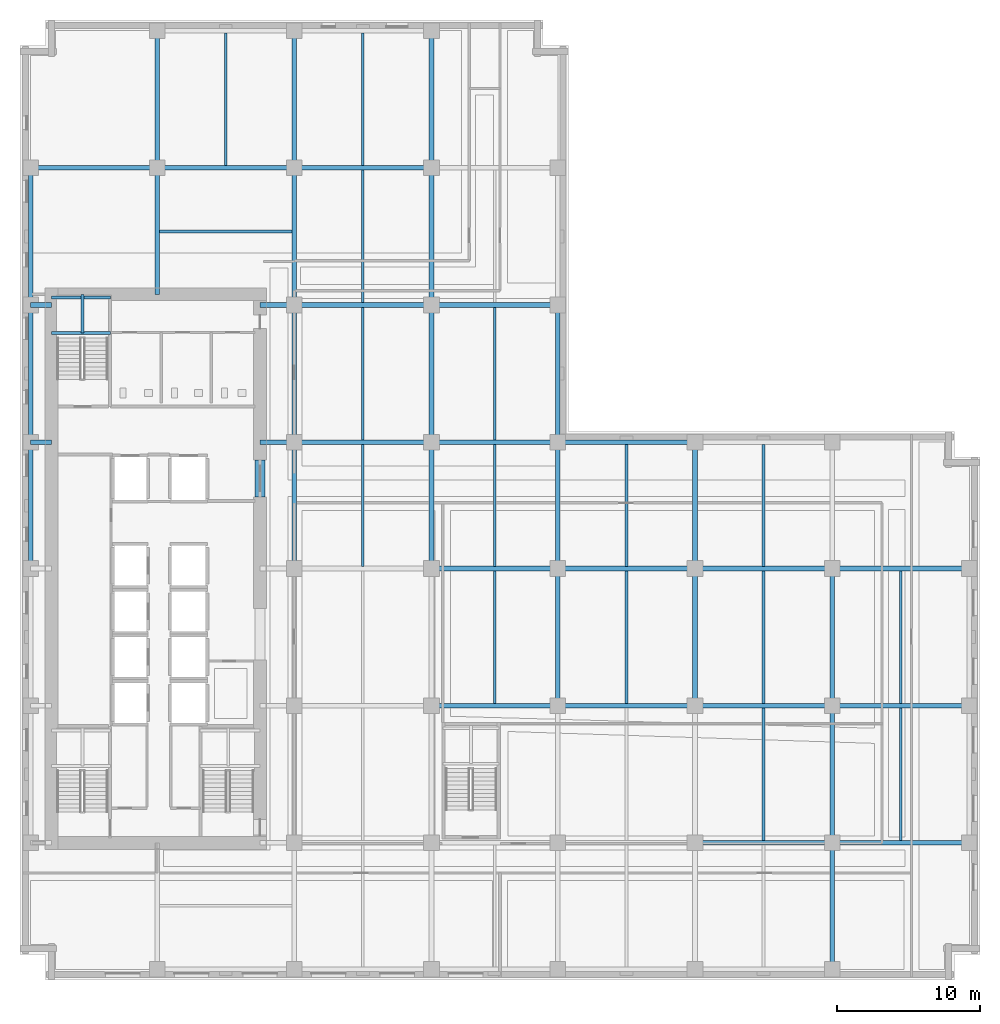
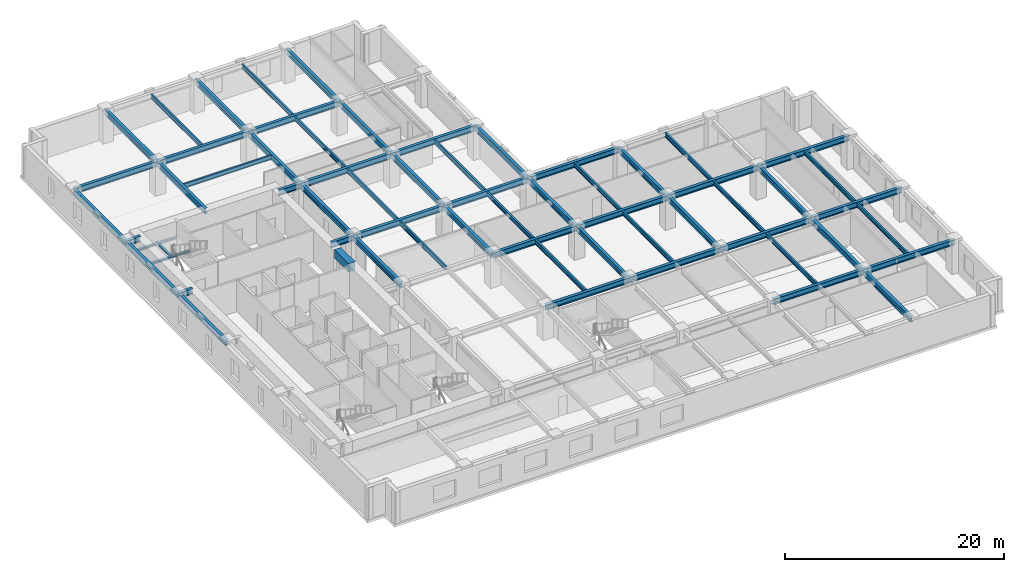
# One storey, part 2 of 15: 63 beams.
"""IFC4 building model written with IfcOpenShell, lengths in metres."""

from ifc_helpers import new_model, si_unit, direction, frame, origin, origin_2d, place, context, subcontext, project, spatial, rectangle, i_section, extrude, material, material_profile, profile_set, type_object, element, save


model = new_model("IFC4")

# Units and contexts
model_context = context("Model", 3, precision=1e-05, world=origin(), true_north=direction((0.0, 1.0)))
body_context = subcontext(model_context, "Body", "Model", "MODEL_VIEW")
ifc_project = project(units=[si_unit("LENGTHUNIT", "METRE"), si_unit("AREAUNIT", "SQUARE_METRE"), si_unit("VOLUMEUNIT", "CUBIC_METRE"), si_unit("PLANEANGLEUNIT", "RADIAN"), si_unit("MASSUNIT", "GRAM", prefix="KILO")], contexts=[model_context])

# Site, building, storey
site_placement = place(None, origin())
site = spatial("IfcSite", under=ifc_project, at=site_placement, CompositionType="ELEMENT")
building_placement = place(site_placement, origin())
building = spatial("IfcBuilding", under=site, at=building_placement, Name="Norrvale University Quadrangle", CompositionType="ELEMENT")
storey_placement = place(building_placement, frame((0.0, 0.0, 88.800048828125)))
storey = spatial("IfcBuildingStorey", under=building, at=storey_placement, Name="L22", CompositionType="ELEMENT", Elevation=88.800048828125)

# Beams
ifc_material_1 = material(Name="Steel 350W", Category="steel")
ifc_material_profile_1 = material_profile(ifc_material_1, i_section(OverallWidth=0.324951171875, OverallDepth=0.615966796875, WebThickness=0.013916015625, FlangeThickness=0.021484375, FilletRadius=0.01611328125, at=origin_2d()), Name="Steel 350W")
ifc_profile_set_1 = profile_set([ifc_material_profile_1], Name="Steel 350W")
beam_type_1 = type_object("IfcBeamType", Name="Beam Belt W610x174", PredefinedType="BEAM", material=ifc_profile_set_1)
beam_1_placement = place(storey_placement, frame((47.25, 9.60009765625, 3.23193359375), z_axis=(1.0, 0.0, 0.0), x_axis=(0.0, 1.0, 0.0)))
element("IfcBeam", 1, at=beam_1_placement, inside=storey, type_object=beam_type_1, Name="Beam Belt W610x174 BM-L22-GX009", PredefinedType="BEAM", context=body_context, shape_type="SweptSolid", body=[
    extrude(i_section(OverallWidth=0.324951171875, OverallDepth=0.615966796875, WebThickness=0.013916015625, FlangeThickness=0.021484375, FilletRadius=0.01611328125, at=origin_2d()), origin(), (0.0, 0.0, 1.0), 9.60009765625),
])
beam_2_placement = place(storey_placement, frame((56.85009765625, 9.60009765625, 3.23193359375), z_axis=(1.0, 0.0, 0.0), x_axis=(0.0, 1.0, 0.0)))
element("IfcBeam", 2, at=beam_2_placement, inside=storey, type_object=beam_type_1, Name="Beam Belt W610x174 BM-L22-GX010", PredefinedType="BEAM", context=body_context, shape_type="SweptSolid", body=[
    extrude(i_section(OverallWidth=0.324951171875, OverallDepth=0.615966796875, WebThickness=0.013916015625, FlangeThickness=0.021484375, FilletRadius=0.01611328125, at=origin_2d()), origin(), (0.0, 0.0, 1.0), 9.599853515625),
])
beam_3_placement = place(storey_placement, frame((28.800048828125, 19.199951171875, 3.23193359375), z_axis=(1.0, 0.0, 0.0), x_axis=(0.0, 1.0, 0.0)))
element("IfcBeam", 3, at=beam_3_placement, inside=storey, type_object=beam_type_1, Name="Beam Belt W610x174 BM-L22-GX012", PredefinedType="BEAM", context=body_context, shape_type="SweptSolid", body=[
    extrude(i_section(OverallWidth=0.324951171875, OverallDepth=0.615966796875, WebThickness=0.013916015625, FlangeThickness=0.021484375, FilletRadius=0.01611328125, at=origin_2d()), origin(), (0.0, 0.0, 1.0), 8.849853515625),
])
for number, where, z_axis, x_axis, name in (
    (4, (37.64990234375, 19.199951171875, 3.23193359375), (1.0, 0.0, 0.0), (0.0, 1.0, 0.0), "Beam Belt W610x174 BM-L22-GX013"),
    (5, (47.25, 19.199951171875, 3.23193359375), (1.0, 0.0, 0.0), (0.0, 1.0, 0.0), "Beam Belt W610x174 BM-L22-GX014"),
):
    element("IfcBeam", number, at=place(storey_placement, frame(where, z_axis=z_axis, x_axis=x_axis)), inside=storey, type_object=beam_type_1, Name=name, PredefinedType="BEAM", context=body_context, shape_type="SweptSolid", body=[
        extrude(i_section(OverallWidth=0.324951171875, OverallDepth=0.615966796875, WebThickness=0.013916015625, FlangeThickness=0.021484375, FilletRadius=0.01611328125, at=origin_2d()), origin(), (0.0, 0.0, 1.0), 9.60009765625),
    ])
beam_4_placement = place(storey_placement, frame((56.85009765625, 19.199951171875, 3.23193359375), z_axis=(1.0, 0.0, 0.0), x_axis=(0.0, 1.0, 0.0)))
element("IfcBeam", 6, at=beam_4_placement, inside=storey, type_object=beam_type_1, Name="Beam Belt W610x174 BM-L22-GX015", PredefinedType="BEAM", context=body_context, shape_type="SweptSolid", body=[
    extrude(i_section(OverallWidth=0.324951171875, OverallDepth=0.615966796875, WebThickness=0.013916015625, FlangeThickness=0.021484375, FilletRadius=0.01611328125, at=origin_2d()), origin(), (0.0, 0.0, 1.0), 9.599853515625),
])
beam_5_placement = place(storey_placement, frame((28.800048828125, 28.800048828125, 3.23193359375), z_axis=(1.0, 0.0, 0.0), x_axis=(0.0, 1.0, 0.0)))
element("IfcBeam", 7, at=beam_5_placement, inside=storey, type_object=beam_type_1, Name="Beam Belt W610x174 BM-L22-GX017", PredefinedType="BEAM", context=body_context, shape_type="SweptSolid", body=[
    extrude(i_section(OverallWidth=0.324951171875, OverallDepth=0.615966796875, WebThickness=0.013916015625, FlangeThickness=0.021484375, FilletRadius=0.01611328125, at=origin_2d()), origin(), (0.0, 0.0, 1.0), 8.849853515625),
])
for number, where, z_axis, x_axis, name in (
    (8, (37.64990234375, 28.800048828125, 3.23193359375), (1.0, 0.0, 0.0), (0.0, 1.0, 0.0), "Beam Belt W610x174 BM-L22-GX018"),
    (9, (47.25, 28.800048828125, 3.23193359375), (1.0, 0.0, 0.0), (0.0, 1.0, 0.0), "Beam Belt W610x174 BM-L22-GX019"),
):
    element("IfcBeam", number, at=place(storey_placement, frame(where, z_axis=z_axis, x_axis=x_axis)), inside=storey, type_object=beam_type_1, Name=name, PredefinedType="BEAM", context=body_context, shape_type="SweptSolid", body=[
        extrude(i_section(OverallWidth=0.324951171875, OverallDepth=0.615966796875, WebThickness=0.013916015625, FlangeThickness=0.021484375, FilletRadius=0.01611328125, at=origin_2d()), origin(), (0.0, 0.0, 1.0), 9.60009765625),
    ])
beam_6_placement = place(storey_placement, frame((56.85009765625, 28.800048828125, 3.23193359375), z_axis=(1.0, 0.0, 0.0), x_axis=(0.0, 1.0, 0.0)))
element("IfcBeam", 10, at=beam_6_placement, inside=storey, type_object=beam_type_1, Name="Beam Belt W610x174 BM-L22-GX020", PredefinedType="BEAM", context=body_context, shape_type="SweptSolid", body=[
    extrude(i_section(OverallWidth=0.324951171875, OverallDepth=0.615966796875, WebThickness=0.013916015625, FlangeThickness=0.021484375, FilletRadius=0.01611328125, at=origin_2d()), origin(), (0.0, 0.0, 1.0), 9.599853515625),
])
beam_7_placement = place(storey_placement, frame((19.199951171875, 37.64990234375, 3.23193359375), z_axis=(1.0, 0.0, 0.0), x_axis=(0.0, 1.0, 0.0)))
element("IfcBeam", 11, at=beam_7_placement, inside=storey, type_object=beam_type_1, Name="Beam Belt W610x174 BM-L22-GX021", PredefinedType="BEAM", context=body_context, shape_type="SweptSolid", body=[
    extrude(i_section(OverallWidth=0.324951171875, OverallDepth=0.615966796875, WebThickness=0.013916015625, FlangeThickness=0.021484375, FilletRadius=0.01611328125, at=origin_2d()), origin(), (0.0, 0.0, 1.0), 9.60009765625),
])
beam_8_placement = place(storey_placement, frame((28.800048828125, 37.64990234375, 3.23193359375), z_axis=(1.0, 0.0, 0.0), x_axis=(0.0, 1.0, 0.0)))
element("IfcBeam", 12, at=beam_8_placement, inside=storey, type_object=beam_type_1, Name="Beam Belt W610x174 BM-L22-GX022", PredefinedType="BEAM", context=body_context, shape_type="SweptSolid", body=[
    extrude(i_section(OverallWidth=0.324951171875, OverallDepth=0.615966796875, WebThickness=0.013916015625, FlangeThickness=0.021484375, FilletRadius=0.01611328125, at=origin_2d()), origin(), (0.0, 0.0, 1.0), 8.849853515625),
])
for number, where, z_axis, x_axis, name in (
    (13, (37.64990234375, 37.64990234375, 3.23193359375), (1.0, 0.0, 0.0), (0.0, 1.0, 0.0), "Beam Belt W610x174 BM-L22-GX023"),
    (14, (19.199951171875, 47.25, 3.23193359375), (1.0, 0.0, 0.0), (0.0, 1.0, 0.0), "Beam Belt W610x174 BM-L22-GX025"),
):
    element("IfcBeam", number, at=place(storey_placement, frame(where, z_axis=z_axis, x_axis=x_axis)), inside=storey, type_object=beam_type_1, Name=name, PredefinedType="BEAM", context=body_context, shape_type="SweptSolid", body=[
        extrude(i_section(OverallWidth=0.324951171875, OverallDepth=0.615966796875, WebThickness=0.013916015625, FlangeThickness=0.021484375, FilletRadius=0.01611328125, at=origin_2d()), origin(), (0.0, 0.0, 1.0), 9.60009765625),
    ])
beam_9_placement = place(storey_placement, frame((28.800048828125, 47.25, 3.23193359375), z_axis=(1.0, 0.0, 0.0), x_axis=(0.0, 1.0, 0.0)))
element("IfcBeam", 15, at=beam_9_placement, inside=storey, type_object=beam_type_1, Name="Beam Belt W610x174 BM-L22-GX026", PredefinedType="BEAM", context=body_context, shape_type="SweptSolid", body=[
    extrude(i_section(OverallWidth=0.324951171875, OverallDepth=0.615966796875, WebThickness=0.013916015625, FlangeThickness=0.021484375, FilletRadius=0.01611328125, at=origin_2d()), origin(), (0.0, 0.0, 1.0), 8.849853515625),
])
beam_10_placement = place(storey_placement, frame((0.75, 56.85009765625, 3.23193359375), z_axis=(1.0, 0.0, 0.0), x_axis=(0.0, 1.0, 0.0)))
element("IfcBeam", 16, at=beam_10_placement, inside=storey, type_object=beam_type_1, Name="Beam Belt W610x174 BM-L22-GX027", PredefinedType="BEAM", context=body_context, shape_type="SweptSolid", body=[
    extrude(i_section(OverallWidth=0.324951171875, OverallDepth=0.615966796875, WebThickness=0.013916015625, FlangeThickness=0.021484375, FilletRadius=0.01611328125, at=origin_2d()), origin(), (0.0, 0.0, 1.0), 8.85009765625),
])
beam_11_placement = place(storey_placement, frame((9.60009765625, 56.85009765625, 3.23193359375), z_axis=(1.0, 0.0, 0.0), x_axis=(0.0, 1.0, 0.0)))
element("IfcBeam", 17, at=beam_11_placement, inside=storey, type_object=beam_type_1, Name="Beam Belt W610x174 BM-L22-GX028", PredefinedType="BEAM", context=body_context, shape_type="SweptSolid", body=[
    extrude(i_section(OverallWidth=0.324951171875, OverallDepth=0.615966796875, WebThickness=0.013916015625, FlangeThickness=0.021484375, FilletRadius=0.01611328125, at=origin_2d()), origin(), (0.0, 0.0, 1.0), 9.599853515625),
])
beam_12_placement = place(storey_placement, frame((19.199951171875, 56.85009765625, 3.23193359375), z_axis=(1.0, 0.0, 0.0), x_axis=(0.0, 1.0, 0.0)))
element("IfcBeam", 18, at=beam_12_placement, inside=storey, type_object=beam_type_1, Name="Beam Belt W610x174 BM-L22-GX029", PredefinedType="BEAM", context=body_context, shape_type="SweptSolid", body=[
    extrude(i_section(OverallWidth=0.324951171875, OverallDepth=0.615966796875, WebThickness=0.013916015625, FlangeThickness=0.021484375, FilletRadius=0.01611328125, at=origin_2d()), origin(), (0.0, 0.0, 1.0), 9.60009765625),
])
beam_13_placement = place(storey_placement, frame((0.75, 28.800048828125, 3.23193359375), z_axis=(0.0, 1.0, 0.0), x_axis=(-1.0, 0.0, 0.0)))
element("IfcBeam", 19, at=beam_13_placement, inside=storey, type_object=beam_type_1, Name="Beam Belt W610x174 BM-L22-GY035", PredefinedType="BEAM", context=body_context, shape_type="SweptSolid", body=[
    extrude(i_section(OverallWidth=0.324951171875, OverallDepth=0.615966796875, WebThickness=0.013916015625, FlangeThickness=0.021484375, FilletRadius=0.01611328125, at=origin_2d()), origin(), (0.0, 0.0, 1.0), 8.849853515625),
])
for number, where, z_axis, x_axis, name in (
    (20, (0.75, 37.64990234375, 3.23193359375), (0.0, 1.0, 0.0), (-1.0, 0.0, 0.0), "Beam Belt W610x174 BM-L22-GY036"),
    (21, (0.75, 47.25, 3.23193359375), (0.0, 1.0, 0.0), (-1.0, 0.0, 0.0), "Beam Belt W610x174 BM-L22-GY037"),
):
    element("IfcBeam", number, at=place(storey_placement, frame(where, z_axis=z_axis, x_axis=x_axis)), inside=storey, type_object=beam_type_1, Name=name, PredefinedType="BEAM", context=body_context, shape_type="SweptSolid", body=[
        extrude(i_section(OverallWidth=0.324951171875, OverallDepth=0.615966796875, WebThickness=0.013916015625, FlangeThickness=0.021484375, FilletRadius=0.01611328125, at=origin_2d()), origin(), (0.0, 0.0, 1.0), 9.60009765625),
    ])
beam_14_placement = place(storey_placement, frame((9.60009765625, 56.85009765625, 3.23193359375), z_axis=(0.0, 1.0, 0.0), x_axis=(-1.0, 0.0, 0.0)))
element("IfcBeam", 22, at=beam_14_placement, inside=storey, type_object=beam_type_1, Name="Beam Belt W610x174 BM-L22-GY038", PredefinedType="BEAM", context=body_context, shape_type="SweptSolid", body=[
    extrude(i_section(OverallWidth=0.324951171875, OverallDepth=0.615966796875, WebThickness=0.013916015625, FlangeThickness=0.021484375, FilletRadius=0.01611328125, at=origin_2d()), origin(), (0.0, 0.0, 1.0), 9.599853515625),
])
beam_15_placement = place(storey_placement, frame((19.199951171875, 28.800048828125, 3.23193359375), z_axis=(0.0, 1.0, 0.0), x_axis=(-1.0, 0.0, 0.0)))
element("IfcBeam", 23, at=beam_15_placement, inside=storey, type_object=beam_type_1, Name="Beam Belt W610x174 BM-L22-GY042", PredefinedType="BEAM", context=body_context, shape_type="SweptSolid", body=[
    extrude(i_section(OverallWidth=0.324951171875, OverallDepth=0.615966796875, WebThickness=0.013916015625, FlangeThickness=0.021484375, FilletRadius=0.01611328125, at=origin_2d()), origin(), (0.0, 0.0, 1.0), 8.849853515625),
])
for number, where, z_axis, x_axis, name in (
    (24, (19.199951171875, 37.64990234375, 3.23193359375), (0.0, 1.0, 0.0), (-1.0, 0.0, 0.0), "Beam Belt W610x174 BM-L22-GY043"),
    (25, (19.199951171875, 47.25, 3.23193359375), (0.0, 1.0, 0.0), (-1.0, 0.0, 0.0), "Beam Belt W610x174 BM-L22-GY044"),
):
    element("IfcBeam", number, at=place(storey_placement, frame(where, z_axis=z_axis, x_axis=x_axis)), inside=storey, type_object=beam_type_1, Name=name, PredefinedType="BEAM", context=body_context, shape_type="SweptSolid", body=[
        extrude(i_section(OverallWidth=0.324951171875, OverallDepth=0.615966796875, WebThickness=0.013916015625, FlangeThickness=0.021484375, FilletRadius=0.01611328125, at=origin_2d()), origin(), (0.0, 0.0, 1.0), 9.60009765625),
    ])
beam_16_placement = place(storey_placement, frame((19.199951171875, 56.85009765625, 3.23193359375), z_axis=(0.0, 1.0, 0.0), x_axis=(-1.0, 0.0, 0.0)))
element("IfcBeam", 26, at=beam_16_placement, inside=storey, type_object=beam_type_1, Name="Beam Belt W610x174 BM-L22-GY045", PredefinedType="BEAM", context=body_context, shape_type="SweptSolid", body=[
    extrude(i_section(OverallWidth=0.324951171875, OverallDepth=0.615966796875, WebThickness=0.013916015625, FlangeThickness=0.021484375, FilletRadius=0.01611328125, at=origin_2d()), origin(), (0.0, 0.0, 1.0), 9.599853515625),
])
beam_17_placement = place(storey_placement, frame((28.800048828125, 28.800048828125, 3.23193359375), z_axis=(0.0, 1.0, 0.0), x_axis=(-1.0, 0.0, 0.0)))
element("IfcBeam", 27, at=beam_17_placement, inside=storey, type_object=beam_type_1, Name="Beam Belt W610x174 BM-L22-GY049", PredefinedType="BEAM", context=body_context, shape_type="SweptSolid", body=[
    extrude(i_section(OverallWidth=0.324951171875, OverallDepth=0.615966796875, WebThickness=0.013916015625, FlangeThickness=0.021484375, FilletRadius=0.01611328125, at=origin_2d()), origin(), (0.0, 0.0, 1.0), 8.849853515625),
])
for number, where, z_axis, x_axis, name in (
    (28, (28.800048828125, 37.64990234375, 3.23193359375), (0.0, 1.0, 0.0), (-1.0, 0.0, 0.0), "Beam Belt W610x174 BM-L22-GY050"),
    (29, (28.800048828125, 47.25, 3.23193359375), (0.0, 1.0, 0.0), (-1.0, 0.0, 0.0), "Beam Belt W610x174 BM-L22-GY051"),
):
    element("IfcBeam", number, at=place(storey_placement, frame(where, z_axis=z_axis, x_axis=x_axis)), inside=storey, type_object=beam_type_1, Name=name, PredefinedType="BEAM", context=body_context, shape_type="SweptSolid", body=[
        extrude(i_section(OverallWidth=0.324951171875, OverallDepth=0.615966796875, WebThickness=0.013916015625, FlangeThickness=0.021484375, FilletRadius=0.01611328125, at=origin_2d()), origin(), (0.0, 0.0, 1.0), 9.60009765625),
    ])
beam_18_placement = place(storey_placement, frame((28.800048828125, 56.85009765625, 3.23193359375), z_axis=(0.0, 1.0, 0.0), x_axis=(-1.0, 0.0, 0.0)))
element("IfcBeam", 30, at=beam_18_placement, inside=storey, type_object=beam_type_1, Name="Beam Belt W610x174 BM-L22-GY052", PredefinedType="BEAM", context=body_context, shape_type="SweptSolid", body=[
    extrude(i_section(OverallWidth=0.324951171875, OverallDepth=0.615966796875, WebThickness=0.013916015625, FlangeThickness=0.021484375, FilletRadius=0.01611328125, at=origin_2d()), origin(), (0.0, 0.0, 1.0), 9.599853515625),
])
beam_19_placement = place(storey_placement, frame((37.64990234375, 19.199951171875, 3.23193359375), z_axis=(0.0, 1.0, 0.0), x_axis=(-1.0, 0.0, 0.0)))
element("IfcBeam", 31, at=beam_19_placement, inside=storey, type_object=beam_type_1, Name="Beam Belt W610x174 BM-L22-GY055", PredefinedType="BEAM", context=body_context, shape_type="SweptSolid", body=[
    extrude(i_section(OverallWidth=0.324951171875, OverallDepth=0.615966796875, WebThickness=0.013916015625, FlangeThickness=0.021484375, FilletRadius=0.01611328125, at=origin_2d()), origin(), (0.0, 0.0, 1.0), 9.60009765625),
])
beam_20_placement = place(storey_placement, frame((37.64990234375, 28.800048828125, 3.23193359375), z_axis=(0.0, 1.0, 0.0), x_axis=(-1.0, 0.0, 0.0)))
element("IfcBeam", 32, at=beam_20_placement, inside=storey, type_object=beam_type_1, Name="Beam Belt W610x174 BM-L22-GY056", PredefinedType="BEAM", context=body_context, shape_type="SweptSolid", body=[
    extrude(i_section(OverallWidth=0.324951171875, OverallDepth=0.615966796875, WebThickness=0.013916015625, FlangeThickness=0.021484375, FilletRadius=0.01611328125, at=origin_2d()), origin(), (0.0, 0.0, 1.0), 8.849853515625),
])
for number, where, z_axis, x_axis, name in (
    (33, (37.64990234375, 37.64990234375, 3.23193359375), (0.0, 1.0, 0.0), (-1.0, 0.0, 0.0), "Beam Belt W610x174 BM-L22-GY057"),
    (34, (47.25, 19.199951171875, 3.23193359375), (0.0, 1.0, 0.0), (-1.0, 0.0, 0.0), "Beam Belt W610x174 BM-L22-GY061"),
):
    element("IfcBeam", number, at=place(storey_placement, frame(where, z_axis=z_axis, x_axis=x_axis)), inside=storey, type_object=beam_type_1, Name=name, PredefinedType="BEAM", context=body_context, shape_type="SweptSolid", body=[
        extrude(i_section(OverallWidth=0.324951171875, OverallDepth=0.615966796875, WebThickness=0.013916015625, FlangeThickness=0.021484375, FilletRadius=0.01611328125, at=origin_2d()), origin(), (0.0, 0.0, 1.0), 9.60009765625),
    ])
beam_21_placement = place(storey_placement, frame((47.25, 28.800048828125, 3.23193359375), z_axis=(0.0, 1.0, 0.0), x_axis=(-1.0, 0.0, 0.0)))
element("IfcBeam", 35, at=beam_21_placement, inside=storey, type_object=beam_type_1, Name="Beam Belt W610x174 BM-L22-GY062", PredefinedType="BEAM", context=body_context, shape_type="SweptSolid", body=[
    extrude(i_section(OverallWidth=0.324951171875, OverallDepth=0.615966796875, WebThickness=0.013916015625, FlangeThickness=0.021484375, FilletRadius=0.01611328125, at=origin_2d()), origin(), (0.0, 0.0, 1.0), 8.849853515625),
])
beam_22_placement = place(storey_placement, frame((56.85009765625, 0.75, 3.23193359375), z_axis=(0.0, 1.0, 0.0), x_axis=(-1.0, 0.0, 0.0)))
element("IfcBeam", 36, at=beam_22_placement, inside=storey, type_object=beam_type_1, Name="Beam Belt W610x174 BM-L22-GY063", PredefinedType="BEAM", context=body_context, shape_type="SweptSolid", body=[
    extrude(i_section(OverallWidth=0.324951171875, OverallDepth=0.615966796875, WebThickness=0.013916015625, FlangeThickness=0.021484375, FilletRadius=0.01611328125, at=origin_2d()), origin(), (0.0, 0.0, 1.0), 8.85009765625),
])
beam_23_placement = place(storey_placement, frame((56.85009765625, 9.60009765625, 3.23193359375), z_axis=(0.0, 1.0, 0.0), x_axis=(-1.0, 0.0, 0.0)))
element("IfcBeam", 37, at=beam_23_placement, inside=storey, type_object=beam_type_1, Name="Beam Belt W610x174 BM-L22-GY064", PredefinedType="BEAM", context=body_context, shape_type="SweptSolid", body=[
    extrude(i_section(OverallWidth=0.324951171875, OverallDepth=0.615966796875, WebThickness=0.013916015625, FlangeThickness=0.021484375, FilletRadius=0.01611328125, at=origin_2d()), origin(), (0.0, 0.0, 1.0), 9.599853515625),
])
beam_24_placement = place(storey_placement, frame((56.85009765625, 19.199951171875, 3.23193359375), z_axis=(0.0, 1.0, 0.0), x_axis=(-1.0, 0.0, 0.0)))
element("IfcBeam", 38, at=beam_24_placement, inside=storey, type_object=beam_type_1, Name="Beam Belt W610x174 BM-L22-GY065", PredefinedType="BEAM", context=body_context, shape_type="SweptSolid", body=[
    extrude(i_section(OverallWidth=0.324951171875, OverallDepth=0.615966796875, WebThickness=0.013916015625, FlangeThickness=0.021484375, FilletRadius=0.01611328125, at=origin_2d()), origin(), (0.0, 0.0, 1.0), 9.60009765625),
])
beam_25_placement = place(storey_placement, frame((0.75, 37.64990234375, 3.23193359375), z_axis=(1.0, 0.0, 0.0), x_axis=(0.0, 1.0, 0.0)))
element("IfcBeam", 39, at=beam_25_placement, inside=storey, type_object=beam_type_1, Name="Beam Belt W610x174 BM-L22-GCW075", PredefinedType="BEAM", context=body_context, shape_type="SweptSolid", body=[
    extrude(i_section(OverallWidth=0.324951171875, OverallDepth=0.615966796875, WebThickness=0.013916015625, FlangeThickness=0.021484375, FilletRadius=0.01611328125, at=origin_2d()), origin(), (0.0, 0.0, 1.0), 1.449951171875),
])
beam_26_placement = place(storey_placement, frame((16.800048828125, 37.64990234375, 3.23193359375), z_axis=(1.0, 0.0, 0.0), x_axis=(0.0, 1.0, 0.0)))
element("IfcBeam", 40, at=beam_26_placement, inside=storey, type_object=beam_type_1, Name="Beam Belt W610x174 BM-L22-GCE076", PredefinedType="BEAM", context=body_context, shape_type="SweptSolid", body=[
    extrude(i_section(OverallWidth=0.324951171875, OverallDepth=0.615966796875, WebThickness=0.013916015625, FlangeThickness=0.021484375, FilletRadius=0.01611328125, at=origin_2d()), origin(), (0.0, 0.0, 1.0), 2.39990234375),
])
beam_27_placement = place(storey_placement, frame((0.75, 47.25, 3.23193359375), z_axis=(1.0, 0.0, 0.0), x_axis=(0.0, 1.0, 0.0)))
element("IfcBeam", 41, at=beam_27_placement, inside=storey, type_object=beam_type_1, Name="Beam Belt W610x174 BM-L22-GCW077", PredefinedType="BEAM", context=body_context, shape_type="SweptSolid", body=[
    extrude(i_section(OverallWidth=0.324951171875, OverallDepth=0.615966796875, WebThickness=0.013916015625, FlangeThickness=0.021484375, FilletRadius=0.01611328125, at=origin_2d()), origin(), (0.0, 0.0, 1.0), 1.449951171875),
])
beam_28_placement = place(storey_placement, frame((16.800048828125, 47.25, 3.23193359375), z_axis=(1.0, 0.0, 0.0), x_axis=(0.0, 1.0, 0.0)))
element("IfcBeam", 42, at=beam_28_placement, inside=storey, type_object=beam_type_1, Name="Beam Belt W610x174 BM-L22-GCE078", PredefinedType="BEAM", context=body_context, shape_type="SweptSolid", body=[
    extrude(i_section(OverallWidth=0.324951171875, OverallDepth=0.615966796875, WebThickness=0.013916015625, FlangeThickness=0.021484375, FilletRadius=0.01611328125, at=origin_2d()), origin(), (0.0, 0.0, 1.0), 2.39990234375),
])
beam_29_placement = place(storey_placement, frame((9.60009765625, 48.0, 3.23193359375), z_axis=(0.0, 1.0, 0.0), x_axis=(-1.0, 0.0, 0.0)))
element("IfcBeam", 43, at=beam_29_placement, inside=storey, type_object=beam_type_1, Name="Beam Belt W610x174 BM-L22-GCN104", PredefinedType="BEAM", context=body_context, shape_type="SweptSolid", body=[
    extrude(i_section(OverallWidth=0.324951171875, OverallDepth=0.615966796875, WebThickness=0.013916015625, FlangeThickness=0.021484375, FilletRadius=0.01611328125, at=origin_2d()), origin(), (0.0, 0.0, 1.0), 8.85009765625),
])
ifc_material_2 = material(Name="Concrete C80/95", Category="concrete")
ifc_material_profile_2 = material_profile(ifc_material_2, rectangle(XDim=0.699951171875, YDim=0.949951171875, at=origin_2d()), Name="Concrete C80/95")
ifc_profile_set_2 = profile_set([ifc_material_profile_2], Name="Concrete C80/95")
beam_type_2 = type_object("IfcBeamType", Name="Beam Core Link 700x950", PredefinedType="LINTEL", material=ifc_profile_set_2)
beam_30_placement = place(storey_placement, frame((16.800048828125, 33.800048828125, 3.06494140625), z_axis=(0.0, 1.0, 0.0), x_axis=(-1.0, 0.0, 0.0)))
element("IfcBeam", 44, at=beam_30_placement, inside=storey, type_object=beam_type_2, Name="Core Coupling Lintel Beam L22-2", PredefinedType="LINTEL", context=body_context, shape_type="SweptSolid", body=[
    extrude(rectangle(XDim=0.699951171875, YDim=0.949951171875, at=origin_2d()), origin(), (0.0, 0.0, 1.0), 2.599853515625),
])
ifc_material_profile_3 = material_profile(ifc_material_1, i_section(OverallWidth=0.194091796875, OverallDepth=0.468994140625, WebThickness=0.0126953125, FlangeThickness=0.0205078125, FilletRadius=0.012939453125, at=origin_2d()), Name="Steel 350W")
ifc_profile_set_3 = profile_set([ifc_material_profile_3], Name="Steel 350W")
beam_type_3 = type_object("IfcBeamType", Name="Beam Floor W460x106", PredefinedType="BEAM", material=ifc_profile_set_3)
beam_31_placement = place(storey_placement, frame((14.39990234375, 57.012451171875, 3.305419921875), z_axis=(0.0, 1.0, 0.0), x_axis=(-1.0, 0.0, 0.0)))
element("IfcBeam", 45, at=beam_31_placement, inside=storey, type_object=beam_type_3, Name="Beam Floor W460x106 BM-L22-J079", PredefinedType="BEAM", context=body_context, shape_type="SweptSolid", body=[
    extrude(i_section(OverallWidth=0.194091796875, OverallDepth=0.468994140625, WebThickness=0.0126953125, FlangeThickness=0.0205078125, FilletRadius=0.012939453125, at=origin_2d()), origin(), (0.0, 0.0, 1.0), 9.275146484375),
])
beam_32_placement = place(storey_placement, frame((24.0, 28.96240234375, 3.305419921875), z_axis=(0.0, 1.0, 0.0), x_axis=(-1.0, 0.0, 0.0)))
element("IfcBeam", 46, at=beam_32_placement, inside=storey, type_object=beam_type_3, Name="Beam Floor W460x106 BM-L22-J083", PredefinedType="BEAM", context=body_context, shape_type="SweptSolid", body=[
    extrude(i_section(OverallWidth=0.194091796875, OverallDepth=0.468994140625, WebThickness=0.0126953125, FlangeThickness=0.0205078125, FilletRadius=0.012939453125, at=origin_2d()), origin(), (0.0, 0.0, 1.0), 8.525146484375),
])
for number, where, z_axis, x_axis, name in (
    (47, (24.0, 37.8125, 3.305419921875), (0.0, 1.0, 0.0), (-1.0, 0.0, 0.0), "Beam Floor W460x106 BM-L22-J084"),
    (48, (24.0, 47.41259765625, 3.305419921875), (0.0, 1.0, 0.0), (-1.0, 0.0, 0.0), "Beam Floor W460x106 BM-L22-J085"),
):
    element("IfcBeam", number, at=place(storey_placement, frame(where, z_axis=z_axis, x_axis=x_axis)), inside=storey, type_object=beam_type_3, Name=name, PredefinedType="BEAM", context=body_context, shape_type="SweptSolid", body=[
        extrude(i_section(OverallWidth=0.194091796875, OverallDepth=0.468994140625, WebThickness=0.0126953125, FlangeThickness=0.0205078125, FilletRadius=0.012939453125, at=origin_2d()), origin(), (0.0, 0.0, 1.0), 9.27490234375),
    ])
beam_33_placement = place(storey_placement, frame((24.0, 57.012451171875, 3.305419921875), z_axis=(0.0, 1.0, 0.0), x_axis=(-1.0, 0.0, 0.0)))
element("IfcBeam", 49, at=beam_33_placement, inside=storey, type_object=beam_type_3, Name="Beam Floor W460x106 BM-L22-J086", PredefinedType="BEAM", context=body_context, shape_type="SweptSolid", body=[
    extrude(i_section(OverallWidth=0.194091796875, OverallDepth=0.468994140625, WebThickness=0.0126953125, FlangeThickness=0.0205078125, FilletRadius=0.012939453125, at=origin_2d()), origin(), (0.0, 0.0, 1.0), 9.275146484375),
])
beam_34_placement = place(storey_placement, frame((33.22509765625, 19.362548828125, 3.305419921875), z_axis=(0.0, 1.0, 0.0), x_axis=(-1.0, 0.0, 0.0)))
element("IfcBeam", 50, at=beam_34_placement, inside=storey, type_object=beam_type_3, Name="Beam Floor W460x106 BM-L22-J088", PredefinedType="BEAM", context=body_context, shape_type="SweptSolid", body=[
    extrude(i_section(OverallWidth=0.194091796875, OverallDepth=0.468994140625, WebThickness=0.0126953125, FlangeThickness=0.0205078125, FilletRadius=0.012939453125, at=origin_2d()), origin(), (0.0, 0.0, 1.0), 9.27490234375),
])
beam_35_placement = place(storey_placement, frame((33.22509765625, 28.96240234375, 3.305419921875), z_axis=(0.0, 1.0, 0.0), x_axis=(-1.0, 0.0, 0.0)))
element("IfcBeam", 51, at=beam_35_placement, inside=storey, type_object=beam_type_3, Name="Beam Floor W460x106 BM-L22-J089", PredefinedType="BEAM", context=body_context, shape_type="SweptSolid", body=[
    extrude(i_section(OverallWidth=0.194091796875, OverallDepth=0.468994140625, WebThickness=0.0126953125, FlangeThickness=0.0205078125, FilletRadius=0.012939453125, at=origin_2d()), origin(), (0.0, 0.0, 1.0), 8.525146484375),
])
for number, where, z_axis, x_axis, name in (
    (52, (33.22509765625, 37.8125, 3.305419921875), (0.0, 1.0, 0.0), (-1.0, 0.0, 0.0), "Beam Floor W460x106 BM-L22-J090"),
    (53, (42.449951171875, 19.362548828125, 3.305419921875), (0.0, 1.0, 0.0), (-1.0, 0.0, 0.0), "Beam Floor W460x106 BM-L22-J094"),
):
    element("IfcBeam", number, at=place(storey_placement, frame(where, z_axis=z_axis, x_axis=x_axis)), inside=storey, type_object=beam_type_3, Name=name, PredefinedType="BEAM", context=body_context, shape_type="SweptSolid", body=[
        extrude(i_section(OverallWidth=0.194091796875, OverallDepth=0.468994140625, WebThickness=0.0126953125, FlangeThickness=0.0205078125, FilletRadius=0.012939453125, at=origin_2d()), origin(), (0.0, 0.0, 1.0), 9.27490234375),
    ])
beam_36_placement = place(storey_placement, frame((42.449951171875, 28.96240234375, 3.305419921875), z_axis=(0.0, 1.0, 0.0), x_axis=(-1.0, 0.0, 0.0)))
element("IfcBeam", 54, at=beam_36_placement, inside=storey, type_object=beam_type_3, Name="Beam Floor W460x106 BM-L22-J095", PredefinedType="BEAM", context=body_context, shape_type="SweptSolid", body=[
    extrude(i_section(OverallWidth=0.194091796875, OverallDepth=0.468994140625, WebThickness=0.0126953125, FlangeThickness=0.0205078125, FilletRadius=0.012939453125, at=origin_2d()), origin(), (0.0, 0.0, 1.0), 8.525146484375),
])
beam_37_placement = place(storey_placement, frame((52.050048828125, 9.762451171875, 3.305419921875), z_axis=(0.0, 1.0, 0.0), x_axis=(-1.0, 0.0, 0.0)))
element("IfcBeam", 55, at=beam_37_placement, inside=storey, type_object=beam_type_3, Name="Beam Floor W460x106 BM-L22-J097", PredefinedType="BEAM", context=body_context, shape_type="SweptSolid", body=[
    extrude(i_section(OverallWidth=0.194091796875, OverallDepth=0.468994140625, WebThickness=0.0126953125, FlangeThickness=0.0205078125, FilletRadius=0.012939453125, at=origin_2d()), origin(), (0.0, 0.0, 1.0), 9.275146484375),
])
beam_38_placement = place(storey_placement, frame((52.050048828125, 19.362548828125, 3.305419921875), z_axis=(0.0, 1.0, 0.0), x_axis=(-1.0, 0.0, 0.0)))
element("IfcBeam", 56, at=beam_38_placement, inside=storey, type_object=beam_type_3, Name="Beam Floor W460x106 BM-L22-J098", PredefinedType="BEAM", context=body_context, shape_type="SweptSolid", body=[
    extrude(i_section(OverallWidth=0.194091796875, OverallDepth=0.468994140625, WebThickness=0.0126953125, FlangeThickness=0.0205078125, FilletRadius=0.012939453125, at=origin_2d()), origin(), (0.0, 0.0, 1.0), 9.27490234375),
])
beam_39_placement = place(storey_placement, frame((52.050048828125, 28.96240234375, 3.305419921875), z_axis=(0.0, 1.0, 0.0), x_axis=(-1.0, 0.0, 0.0)))
element("IfcBeam", 57, at=beam_39_placement, inside=storey, type_object=beam_type_3, Name="Beam Floor W460x106 BM-L22-J099", PredefinedType="BEAM", context=body_context, shape_type="SweptSolid", body=[
    extrude(i_section(OverallWidth=0.194091796875, OverallDepth=0.468994140625, WebThickness=0.0126953125, FlangeThickness=0.0205078125, FilletRadius=0.012939453125, at=origin_2d()), origin(), (0.0, 0.0, 1.0), 8.525146484375),
])
beam_40_placement = place(storey_placement, frame((61.64990234375, 9.762451171875, 3.305419921875), z_axis=(0.0, 1.0, 0.0), x_axis=(-1.0, 0.0, 0.0)))
element("IfcBeam", 58, at=beam_40_placement, inside=storey, type_object=beam_type_3, Name="Beam Floor W460x106 BM-L22-J100", PredefinedType="BEAM", context=body_context, shape_type="SweptSolid", body=[
    extrude(i_section(OverallWidth=0.194091796875, OverallDepth=0.468994140625, WebThickness=0.0126953125, FlangeThickness=0.0205078125, FilletRadius=0.012939453125, at=origin_2d()), origin(), (0.0, 0.0, 1.0), 9.275146484375),
])
beam_41_placement = place(storey_placement, frame((61.64990234375, 19.362548828125, 3.305419921875), z_axis=(0.0, 1.0, 0.0), x_axis=(-1.0, 0.0, 0.0)))
element("IfcBeam", 59, at=beam_41_placement, inside=storey, type_object=beam_type_3, Name="Beam Floor W460x106 BM-L22-J101", PredefinedType="BEAM", context=body_context, shape_type="SweptSolid", body=[
    extrude(i_section(OverallWidth=0.194091796875, OverallDepth=0.468994140625, WebThickness=0.0126953125, FlangeThickness=0.0205078125, FilletRadius=0.012939453125, at=origin_2d()), origin(), (0.0, 0.0, 1.0), 9.27490234375),
])
beam_42_placement = place(storey_placement, frame((9.762451171875, 52.39990234375, 3.305419921875), z_axis=(1.0, 0.0, 0.0), x_axis=(0.0, 1.0, 0.0)))
element("IfcBeam", 60, at=beam_42_placement, inside=storey, type_object=beam_type_3, Name="Beam Floor W460x106 BM-L22-JCN105", PredefinedType="BEAM", context=body_context, shape_type="SweptSolid", body=[
    extrude(i_section(OverallWidth=0.194091796875, OverallDepth=0.468994140625, WebThickness=0.0126953125, FlangeThickness=0.0205078125, FilletRadius=0.012939453125, at=origin_2d()), origin(), (0.0, 0.0, 1.0), 9.275146484375),
])
ifc_material_profile_4 = material_profile(ifc_material_1, i_section(OverallWidth=0.201904296875, OverallDepth=0.2470703125, WebThickness=0.00732421875, FlangeThickness=0.010986328125, FilletRadius=0.011962890625, at=origin_2d()), Name="Steel 350W")
ifc_profile_set_4 = profile_set([ifc_material_profile_4], Name="Steel 350W")
beam_type_4 = type_object("IfcBeamType", Name="Beam Stair W250x49", PredefinedType="BEAM", material=ifc_profile_set_4)
for number, where, z_axis, x_axis, name in (
    (61, (2.199951171875, 45.2900390625, 1.576416015625), (1.0, 0.0, 0.0), (0.0, 1.0, 0.0), "Stair Mid-Landing Front Beam ST-02 L22"),
    (62, (2.199951171875, 47.77001953125, 1.576416015625), (1.0, 0.0, 0.0), (0.0, 1.0, 0.0), "Stair Mid-Landing Rear Beam ST-02 L22"),
):
    element("IfcBeam", number, at=place(storey_placement, frame(where, z_axis=z_axis, x_axis=x_axis)), inside=storey, type_object=beam_type_4, Name=name, PredefinedType="BEAM", context=body_context, shape_type="SweptSolid", body=[
        extrude(i_section(OverallWidth=0.201904296875, OverallDepth=0.2470703125, WebThickness=0.00732421875, FlangeThickness=0.010986328125, FilletRadius=0.011962890625, at=origin_2d()), origin(), (0.0, 0.0, 1.0), 4.14013671875),
    ])
ifc_material_profile_5 = material_profile(ifc_material_1, i_section(OverallWidth=0.202880859375, OverallDepth=0.202880859375, WebThickness=0.007080078125, FlangeThickness=0.010986328125, FilletRadius=0.010009765625, at=origin_2d()), Name="Steel 350W")
ifc_profile_set_5 = profile_set([ifc_material_profile_5], Name="Steel 350W")
beam_type_5 = type_object("IfcBeamType", Name="Beam Trim W200x46", PredefinedType="BEAM", material=ifc_profile_set_5)
beam_43_placement = place(storey_placement, frame((4.375, 45.2900390625, 1.598388671875), z_axis=(0.0, 1.0, 0.0), x_axis=(-1.0, 0.0, 0.0)))
element("IfcBeam", 63, at=beam_43_placement, inside=storey, type_object=beam_type_5, Name="Stair Mid-Landing Cross Beam ST-02 L22", PredefinedType="BEAM", context=body_context, shape_type="SweptSolid", body=[
    extrude(i_section(OverallWidth=0.202880859375, OverallDepth=0.202880859375, WebThickness=0.007080078125, FlangeThickness=0.010986328125, FilletRadius=0.010009765625, at=origin_2d()), origin(), (0.0, 0.0, 1.0), 2.7099609375),
])

save(model, "model.ifc")
